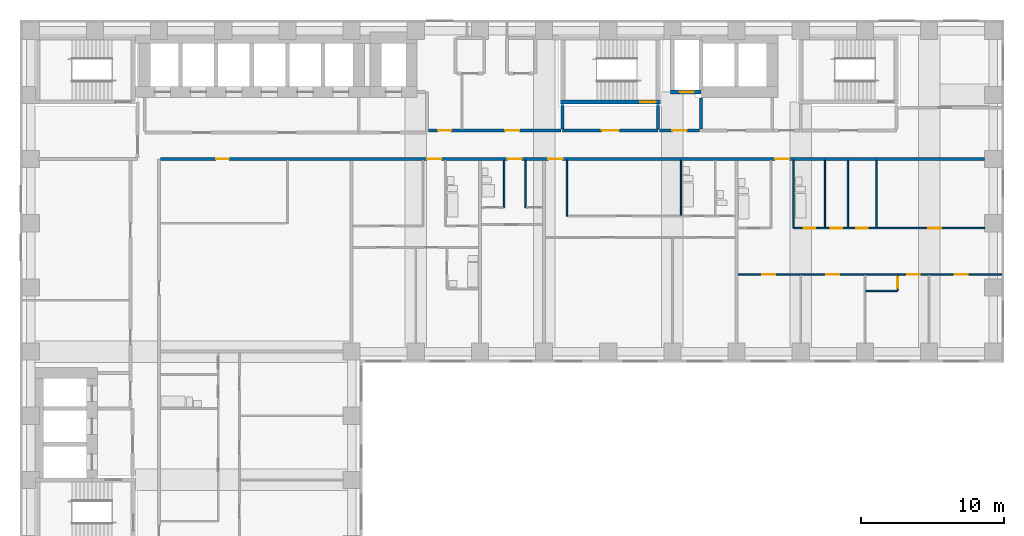
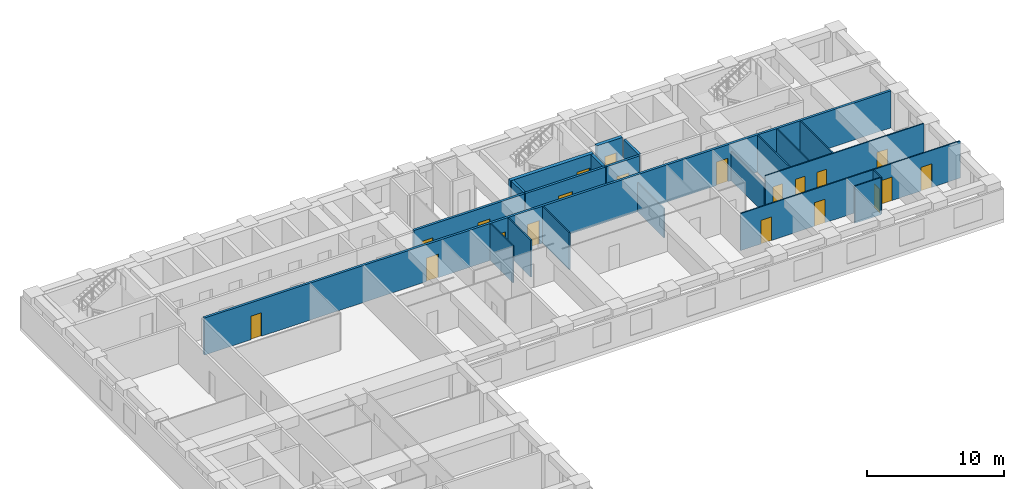
# One storey, part 7 of 11: 21 walls, 20 doors, 20 openings.
"""IFC4 building model written with IfcOpenShell, lengths in metres."""

from ifc_helpers import new_model, si_unit, direction, frame, frame_2d, origin, place, context, subcontext, project, spatial, rectangle, extrude, material, layer, layer_set, type_object, element, fill, save


model = new_model("IFC4")

# Units and contexts
model_context = context("Model", 3, precision=1e-05, world=origin(), true_north=direction((0.0, 1.0)))
body_context = subcontext(model_context, "Body", "Model", "MODEL_VIEW")
ifc_project = project(units=[si_unit("LENGTHUNIT", "METRE"), si_unit("AREAUNIT", "SQUARE_METRE"), si_unit("VOLUMEUNIT", "CUBIC_METRE"), si_unit("PLANEANGLEUNIT", "RADIAN"), si_unit("MASSUNIT", "GRAM", prefix="KILO")], contexts=[model_context])

# Site, building, storey
site_placement = place(None, origin())
site = spatial("IfcSite", under=ifc_project, at=site_placement, CompositionType="ELEMENT")
building_placement = place(site_placement, origin())
building = spatial("IfcBuilding", under=site, at=building_placement, Name="Firuza Court", CompositionType="ELEMENT")
storey_placement = place(building_placement, frame((0.0, 0.0, 75.800048828125)))
storey = spatial("IfcBuildingStorey", under=building, at=storey_placement, Name="L18", CompositionType="ELEMENT", Elevation=75.800048828125)

# Wall
ifc_material_1 = material(Name="Moisture-resistant gypsum board partition")
ifc_layer_1 = layer(ifc_material_1, 0.10009765625)
ifc_layer_set_1 = layer_set([ifc_layer_1], Name="Moisture-resistant gypsum board partition")
wall_type_1 = type_object("IfcWallType", Name="Bathroom partition 100", PredefinedType="PLUMBINGWALL", material=ifc_layer_set_1)
wall_1_placement = place(storey_placement, frame((58.550048828125, 40.25, 0.0), z_axis=(0.0, 0.0, 1.0), x_axis=(1.0, 0.0, 0.0)))
element("IfcWall", 1, at=wall_1_placement, inside=storey, type_object=wall_type_1, Name="Bathroom partition 100 L18", PredefinedType="PLUMBINGWALL", context=body_context, shape_type="SweptSolid", body=[
    extrude(rectangle(XDim=2.199951171875, YDim=0.10009765625, at=frame_2d((1.10009765625, 0.0))), origin(), (0.0, 0.0, 1.0), 3.300048828125),
])

# Wall, opening, door
wall_2_placement = place(storey_placement, frame((60.800048828125, 40.25, 0.0), z_axis=(0.0, 0.0, 1.0), x_axis=(0.0, 1.0, 0.0)))
wall_2 = element("IfcWall", 2, at=wall_2_placement, inside=storey, type_object=wall_type_1, Name="Bathroom partition 100 L18", PredefinedType="PLUMBINGWALL", context=body_context, shape_type="SweptSolid", body=[
    extrude(rectangle(XDim=1.10009765625, YDim=0.10009765625, at=frame_2d((0.550048828125, 0.0))), origin(), (0.0, 0.0, 1.0), 3.300048828125),
])
opening_1_placement = place(wall_2_placement, frame((0.199951171875, 0.0, 0.0)))
opening_1 = element("IfcOpeningElement", 3, at=opening_1_placement, cuts=wall_2, Name="Opening D18043", PredefinedType="OPENING", context=body_context, shape_type="SweptSolid", body=[
    extrude(rectangle(XDim=0.800048828125, YDim=2.10009765625, at=frame_2d((0.39990234375, 1.050048828125))), frame((0.0, 0.06201171875, 0.0), z_axis=(0.0, -1.0, 0.0), x_axis=(1.0, 0.0, 0.0)), (0.0, 0.0, 1.0), 0.1240234375),
])
ifc_material_2 = material(Name="Timber door leaf in hardwood frame", Category="wood")
door_type_1 = type_object("IfcDoorType", Name="Bathroom door 800", OperationType="SINGLE_SWING_LEFT", PredefinedType="DOOR", material=ifc_material_2)
door_1_placement = place(opening_1_placement, origin())
door_1 = element("IfcDoor", 4, at=door_1_placement, inside=storey, type_object=door_type_1, Name="En-suite door", OperationType="SINGLE_SWING_RIGHT", OverallHeight=2.10009765625, OverallWidth=0.800048828125, PredefinedType="DOOR", context=body_context, shape_type="SweptSolid", body=[
    extrude(rectangle(XDim=0.800048828125, YDim=2.10009765625, at=frame_2d((0.39990234375, 1.050048828125))), frame((0.0, 0.02490234375, 0.0), z_axis=(0.0, -1.0, 0.0), x_axis=(1.0, 0.0, 0.0)), (0.0, 0.0, 1.0), 0.050048828125),
])
fill(opening_1, door_1)

# Walls
wall_3_placement = place(storey_placement, frame((53.5, 44.64990234375, 0.0), z_axis=(0.0, 0.0, 1.0), x_axis=(0.0, 1.0, 0.0)))
element("IfcWall", 5, at=wall_3_placement, inside=storey, type_object=wall_type_1, Name="Bathroom partition 100 L18", PredefinedType="PLUMBINGWALL", context=body_context, shape_type="SweptSolid", body=[
    extrude(rectangle(XDim=4.75, YDim=0.10009765625, at=frame_2d((2.375, 0.0))), origin(), (0.0, 0.0, 1.0), 2.599853515625),
])
wall_4_placement = place(storey_placement, frame((55.699951171875, 44.699951171875, 0.0), z_axis=(0.0, 0.0, 1.0), x_axis=(0.0, 1.0, 0.0)))
element("IfcWall", 6, at=wall_4_placement, inside=storey, type_object=wall_type_1, Name="Bathroom partition 100 L18", PredefinedType="PLUMBINGWALL", context=body_context, shape_type="SweptSolid", body=[
    extrude(rectangle(XDim=4.699951171875, YDim=0.10009765625, at=frame_2d((2.35009765625, 0.0))), origin(), (0.0, 0.0, 1.0), 3.300048828125),
])
wall_5_placement = place(storey_placement, frame((45.60009765625, 45.550048828125, 0.0), z_axis=(0.0, 0.0, 1.0), x_axis=(0.0, 1.0, 0.0)))
element("IfcWall", 7, at=wall_5_placement, inside=storey, type_object=wall_type_1, Name="Bathroom partition 100 L18", PredefinedType="PLUMBINGWALL", context=body_context, shape_type="SweptSolid", body=[
    extrude(rectangle(XDim=3.849853515625, YDim=0.10009765625, at=frame_2d((1.9248046875, 0.0))), origin(), (0.0, 0.0, 1.0), 2.599853515625),
])
wall_6_placement = place(storey_placement, frame((33.199951171875, 46.10009765625, 0.0), z_axis=(0.0, 0.0, 1.0), x_axis=(0.0, 1.0, 0.0)))
element("IfcWall", 8, at=wall_6_placement, inside=storey, type_object=wall_type_1, Name="Bathroom partition 100 L18", PredefinedType="PLUMBINGWALL", context=body_context, shape_type="SweptSolid", body=[
    extrude(rectangle(XDim=3.2998046875, YDim=0.10009765625, at=frame_2d((1.64990234375, 0.0))), origin(), (0.0, 0.0, 1.0), 3.300048828125),
])

# Wall, opening, door
ifc_material_3 = material(Name="Concrete C60/75", Category="concrete")
ifc_layer_2 = layer(ifc_material_3, 0.300048828125)
ifc_layer_set_2 = layer_set([ifc_layer_2], Name="Concrete C60/75")
wall_type_2 = type_object("IfcWallType", Name="Core wall 300 C60/75", PredefinedType="SHEAR", material=ifc_layer_set_2)
wall_7_placement = place(storey_placement, frame((37.14990234375, 53.5, -0.300048828125), z_axis=(0.0, 0.0, 1.0), x_axis=(1.0, 0.0, 0.0)))
wall_7 = element("IfcWall", 9, at=wall_7_placement, inside=storey, type_object=wall_type_2, Name="Core wall stair L18", PredefinedType="SHEAR", context=body_context, shape_type="SweptSolid", body=[
    extrude(rectangle(XDim=7.0, YDim=0.300048828125, at=frame_2d((3.5, 0.0))), origin(), (0.0, 0.0, 1.0), 3.60009765625),
])
opening_2_placement = place(wall_7_placement, frame((5.580078125, 0.0, 0.300048828125)))
opening_2 = element("IfcOpeningElement", 10, at=opening_2_placement, cuts=wall_7, Name="Opening D18013", PredefinedType="OPENING", context=body_context, shape_type="SweptSolid", body=[
    extrude(rectangle(XDim=1.10009765625, YDim=2.10009765625, at=frame_2d((0.550048828125, 1.050048828125))), frame((0.0, 0.162109375, 0.0), z_axis=(0.0, -1.0, 0.0), x_axis=(1.0, 0.0, 0.0)), (0.0, 0.0, 1.0), 0.323974609375),
])
ifc_material_4 = material(Name="Timber door leaf in hardwood frame", Category="wood")
door_type_2 = type_object("IfcDoorType", Name="Stair door 1100", OperationType="SINGLE_SWING_LEFT", PredefinedType="DOOR", material=ifc_material_4)
door_2_placement = place(opening_2_placement, origin())
door_2 = element("IfcDoor", 11, at=door_2_placement, inside=storey, type_object=door_type_2, Name="Stair door S1", OperationType="SINGLE_SWING_RIGHT", OverallHeight=2.10009765625, OverallWidth=1.10009765625, PredefinedType="DOOR", context=body_context, shape_type="SweptSolid", body=[
    extrude(rectangle(XDim=1.10009765625, YDim=2.10009765625, at=frame_2d((0.550048828125, 1.050048828125))), frame((0.0, 0.02490234375, 0.0), z_axis=(0.0, -1.0, 0.0), x_axis=(1.0, 0.0, 0.0)), (0.0, 0.0, 1.0), 0.050048828125),
])
fill(opening_2, door_2)

wall_8_placement = place(storey_placement, frame((44.85009765625, 54.199951171875, -0.300048828125), z_axis=(0.0, 0.0, 1.0), x_axis=(1.0, 0.0, 0.0)))
wall_8 = element("IfcWall", 12, at=wall_8_placement, inside=storey, type_object=wall_type_2, Name="Core wall riser L18", PredefinedType="SHEAR", context=body_context, shape_type="SweptSolid", body=[
    extrude(rectangle(XDim=2.14990234375, YDim=0.300048828125, at=frame_2d((1.074951171875, 0.0))), origin(), (0.0, 0.0, 1.0), 3.60009765625),
])
opening_3_placement = place(wall_8_placement, frame((0.64990234375, 0.0, 0.300048828125)))
opening_3 = element("IfcOpeningElement", 13, at=opening_3_placement, cuts=wall_8, Name="Opening D18011", PredefinedType="OPENING", context=body_context, shape_type="SweptSolid", body=[
    extrude(rectangle(XDim=1.0, YDim=2.10009765625, at=frame_2d((0.5, 1.050048828125))), frame((0.0, 0.162109375, 0.0), z_axis=(0.0, -1.0, 0.0), x_axis=(1.0, 0.0, 0.0)), (0.0, 0.0, 1.0), 0.323974609375),
])
ifc_material_5 = material(Name="Timber door leaf in hardwood frame", Category="wood")
door_type_3 = type_object("IfcDoorType", Name="Riser door 1000", OperationType="SINGLE_SWING_LEFT", PredefinedType="DOOR", material=ifc_material_5)
door_3_placement = place(opening_3_placement, origin())
door_3 = element("IfcDoor", 14, at=door_3_placement, inside=storey, type_object=door_type_3, Name="Riser door R3", OperationType="SINGLE_SWING_LEFT", OverallHeight=2.10009765625, OverallWidth=1.0, PredefinedType="DOOR", context=body_context, shape_type="SweptSolid", body=[
    extrude(rectangle(XDim=1.0, YDim=2.10009765625, at=frame_2d((0.5, 1.050048828125))), frame((0.0, 0.02490234375, 0.0), z_axis=(0.0, -1.0, 0.0), x_axis=(1.0, 0.0, 0.0)), (0.0, 0.0, 1.0), 0.050048828125),
])
fill(opening_3, door_3)

# Wall, openings, doors
ifc_material_6 = material(Name="Blockwork, plastered both sides", Category="masonry")
ifc_layer_3 = layer(ifc_material_6, 0.199951171875)
ifc_layer_set_3 = layer_set([ifc_layer_3], Name="Blockwork, plastered both sides")
wall_type_3 = type_object("IfcWallType", Name="Corridor wall 200", PredefinedType="PARTITIONING", material=ifc_layer_set_3)
wall_9_placement = place(storey_placement, frame((9.10009765625, 49.5, 0.0), z_axis=(0.0, 0.0, 1.0), x_axis=(1.0, 0.0, 0.0)))
wall_9 = element("IfcWall", 15, at=wall_9_placement, inside=storey, type_object=wall_type_3, Name="Corridor wall 200 L18", PredefinedType="PARTITIONING", context=body_context, shape_type="SweptSolid", body=[
    extrude(rectangle(XDim=57.7998046875, YDim=0.199951171875, at=frame_2d((28.89990234375, 0.0))), origin(), (0.0, 0.0, 1.0), 3.300048828125),
])
opening_4_placement = place(wall_9_placement, frame((18.699951171875, 0.0, 0.0)))
opening_4 = element("IfcOpeningElement", 16, at=opening_4_placement, cuts=wall_9, Name="Opening D18066", PredefinedType="OPENING", context=body_context, shape_type="SweptSolid", body=[
    extrude(rectangle(XDim=1.0, YDim=2.10009765625, at=frame_2d((0.5, 1.050048828125))), frame((0.0, 0.11181640625, 0.0), z_axis=(0.0, -1.0, 0.0), x_axis=(1.0, 0.0, 0.0)), (0.0, 0.0, 1.0), 0.223876953125),
])
opening_5_placement = place(wall_9_placement, frame((24.35009765625, 0.0, 0.0)))
opening_5 = element("IfcOpeningElement", 17, at=opening_5_placement, cuts=wall_9, Name="Opening D18067", PredefinedType="OPENING", context=body_context, shape_type="SweptSolid", body=[
    extrude(rectangle(XDim=1.0, YDim=2.10009765625, at=frame_2d((0.5, 1.050048828125))), frame((0.0, 0.11181640625, 0.0), z_axis=(0.0, -1.0, 0.0), x_axis=(1.0, 0.0, 0.0)), (0.0, 0.0, 1.0), 0.223876953125),
])
opening_6_placement = place(wall_9_placement, frame((27.199951171875, 0.0, 0.0)))
opening_6 = element("IfcOpeningElement", 18, at=opening_6_placement, cuts=wall_9, Name="Opening D18068", PredefinedType="OPENING", context=body_context, shape_type="SweptSolid", body=[
    extrude(rectangle(XDim=1.0, YDim=2.10009765625, at=frame_2d((0.5, 1.050048828125))), frame((0.0, 0.11181640625, 0.0), z_axis=(0.0, -1.0, 0.0), x_axis=(1.0, 0.0, 0.0)), (0.0, 0.0, 1.0), 0.223876953125),
])
opening_7_placement = place(wall_9_placement, frame((43.10009765625, 0.0, 0.0)))
opening_7 = element("IfcOpeningElement", 19, at=opening_7_placement, cuts=wall_9, Name="Opening D18069", PredefinedType="OPENING", context=body_context, shape_type="SweptSolid", body=[
    extrude(rectangle(XDim=1.0, YDim=2.10009765625, at=frame_2d((0.5, 1.050048828125))), frame((0.0, 0.11181640625, 0.0), z_axis=(0.0, -1.0, 0.0), x_axis=(1.0, 0.0, 0.0)), (0.0, 0.0, 1.0), 0.223876953125),
])
opening_8_placement = place(wall_9_placement, frame((3.89990234375, 0.0, 0.0)))
opening_8 = element("IfcOpeningElement", 20, at=opening_8_placement, cuts=wall_9, Name="Opening D18070", PredefinedType="OPENING", context=body_context, shape_type="SweptSolid", body=[
    extrude(rectangle(XDim=0.89990234375, YDim=2.10009765625, at=frame_2d((0.449951171875, 1.050048828125))), frame((0.0, 0.11181640625, 0.0), z_axis=(0.0, -1.0, 0.0), x_axis=(1.0, 0.0, 0.0)), (0.0, 0.0, 1.0), 0.223876953125),
])
ifc_material_7 = material(Name="Timber door leaf in hardwood frame", Category="wood")
door_type_4 = type_object("IfcDoorType", Name="Flat entrance door 1000", OperationType="SINGLE_SWING_LEFT", PredefinedType="DOOR", material=ifc_material_7)
door_4_placement = place(opening_4_placement, origin())
door_4 = element("IfcDoor", 21, at=door_4_placement, inside=storey, type_object=door_type_4, Name="Flat entrance door", OperationType="SINGLE_SWING_LEFT", OverallHeight=2.10009765625, OverallWidth=1.0, PredefinedType="DOOR", context=body_context, shape_type="SweptSolid", body=[
    extrude(rectangle(XDim=1.0, YDim=2.10009765625, at=frame_2d((0.5, 1.050048828125))), frame((0.0, 0.02490234375, 0.0), z_axis=(0.0, -1.0, 0.0), x_axis=(1.0, 0.0, 0.0)), (0.0, 0.0, 1.0), 0.050048828125),
])
fill(opening_4, door_4)
door_5_placement = place(opening_5_placement, origin())
door_5 = element("IfcDoor", 22, at=door_5_placement, inside=storey, type_object=door_type_4, Name="Flat entrance door", OperationType="SINGLE_SWING_LEFT", OverallHeight=2.10009765625, OverallWidth=1.0, PredefinedType="DOOR", context=body_context, shape_type="SweptSolid", body=[
    extrude(rectangle(XDim=1.0, YDim=2.10009765625, at=frame_2d((0.5, 1.050048828125))), frame((0.0, 0.02490234375, 0.0), z_axis=(0.0, -1.0, 0.0), x_axis=(1.0, 0.0, 0.0)), (0.0, 0.0, 1.0), 0.050048828125),
])
fill(opening_5, door_5)
door_6_placement = place(opening_6_placement, origin())
door_6 = element("IfcDoor", 23, at=door_6_placement, inside=storey, type_object=door_type_4, Name="Flat entrance door", OperationType="SINGLE_SWING_LEFT", OverallHeight=2.10009765625, OverallWidth=1.0, PredefinedType="DOOR", context=body_context, shape_type="SweptSolid", body=[
    extrude(rectangle(XDim=1.0, YDim=2.10009765625, at=frame_2d((0.5, 1.050048828125))), frame((0.0, 0.02490234375, 0.0), z_axis=(0.0, -1.0, 0.0), x_axis=(1.0, 0.0, 0.0)), (0.0, 0.0, 1.0), 0.050048828125),
])
fill(opening_6, door_6)
door_7_placement = place(opening_7_placement, origin())
door_7 = element("IfcDoor", 24, at=door_7_placement, inside=storey, type_object=door_type_4, Name="Flat entrance door", OperationType="SINGLE_SWING_LEFT", OverallHeight=2.10009765625, OverallWidth=1.0, PredefinedType="DOOR", context=body_context, shape_type="SweptSolid", body=[
    extrude(rectangle(XDim=1.0, YDim=2.10009765625, at=frame_2d((0.5, 1.050048828125))), frame((0.0, 0.02490234375, 0.0), z_axis=(0.0, -1.0, 0.0), x_axis=(1.0, 0.0, 0.0)), (0.0, 0.0, 1.0), 0.050048828125),
])
fill(opening_7, door_7)
ifc_material_8 = material(Name="Timber door leaf in hardwood frame", Category="wood")
door_type_5 = type_object("IfcDoorType", Name="Room door 900 EI 30", OperationType="SINGLE_SWING_LEFT", PredefinedType="DOOR", material=ifc_material_8)
door_8_placement = place(opening_8_placement, origin())
door_8 = element("IfcDoor", 25, at=door_8_placement, inside=storey, type_object=door_type_5, Name="Cinema room door", OperationType="SINGLE_SWING_LEFT", OverallHeight=2.10009765625, OverallWidth=0.89990234375, PredefinedType="DOOR", context=body_context, shape_type="SweptSolid", body=[
    extrude(rectangle(XDim=0.89990234375, YDim=2.10009765625, at=frame_2d((0.449951171875, 1.050048828125))), frame((0.0, 0.02490234375, 0.0), z_axis=(0.0, -1.0, 0.0), x_axis=(1.0, 0.0, 0.0)), (0.0, 0.0, 1.0), 0.050048828125),
])
fill(opening_8, door_8)

wall_10_placement = place(storey_placement, frame((27.89990234375, 51.5, 0.0), z_axis=(0.0, 0.0, 1.0), x_axis=(1.0, 0.0, 0.0)))
wall_10 = element("IfcWall", 26, at=wall_10_placement, inside=storey, type_object=wall_type_3, Name="Corridor wall 200 L18", PredefinedType="PARTITIONING", context=body_context, shape_type="SweptSolid", body=[
    extrude(rectangle(XDim=9.300048828125, YDim=0.199951171875, at=frame_2d((4.64990234375, 0.0))), origin(), (0.0, 0.0, 1.0), 3.300048828125),
])
opening_9_placement = place(wall_10_placement, frame((0.675048828125, 0.0, 0.0)))
opening_9 = element("IfcOpeningElement", 27, at=opening_9_placement, cuts=wall_10, Name="Opening D18071", PredefinedType="OPENING", context=body_context, shape_type="SweptSolid", body=[
    extrude(rectangle(XDim=0.89990234375, YDim=2.10009765625, at=frame_2d((0.449951171875, 1.050048828125))), frame((0.0, 0.11181640625, 0.0), z_axis=(0.0, -1.0, 0.0), x_axis=(1.0, 0.0, 0.0)), (0.0, 0.0, 1.0), 0.223876953125),
])
opening_10_placement = place(wall_10_placement, frame((5.375, 0.0, 0.0)))
opening_10 = element("IfcOpeningElement", 28, at=opening_10_placement, cuts=wall_10, Name="Opening D18072", PredefinedType="OPENING", context=body_context, shape_type="SweptSolid", body=[
    extrude(rectangle(XDim=1.0, YDim=2.10009765625, at=frame_2d((0.5, 1.050048828125))), frame((0.0, 0.11181640625, 0.0), z_axis=(0.0, -1.0, 0.0), x_axis=(1.0, 0.0, 0.0)), (0.0, 0.0, 1.0), 0.223876953125),
])
door_9_placement = place(opening_9_placement, origin())
door_9 = element("IfcDoor", 29, at=door_9_placement, inside=storey, type_object=door_type_5, Name="Meeting room door", OperationType="SINGLE_SWING_LEFT", OverallHeight=2.10009765625, OverallWidth=0.89990234375, PredefinedType="DOOR", context=body_context, shape_type="SweptSolid", body=[
    extrude(rectangle(XDim=0.89990234375, YDim=2.10009765625, at=frame_2d((0.449951171875, 1.050048828125))), frame((0.0, 0.02490234375, 0.0), z_axis=(0.0, -1.0, 0.0), x_axis=(1.0, 0.0, 0.0)), (0.0, 0.0, 1.0), 0.050048828125),
])
fill(opening_9, door_9)
ifc_material_9 = material(Name="Timber door leaf in hardwood frame", Category="wood")
door_type_6 = type_object("IfcDoorType", Name="Store door 1000", OperationType="SINGLE_SWING_LEFT", PredefinedType="DOOR", material=ifc_material_9)
door_10_placement = place(opening_10_placement, origin())
door_10 = element("IfcDoor", 30, at=door_10_placement, inside=storey, type_object=door_type_6, Name="Electrical room door", OperationType="SINGLE_SWING_LEFT", OverallHeight=2.10009765625, OverallWidth=1.0, PredefinedType="DOOR", context=body_context, shape_type="SweptSolid", body=[
    extrude(rectangle(XDim=1.0, YDim=2.10009765625, at=frame_2d((0.5, 1.050048828125))), frame((0.0, 0.02490234375, 0.0), z_axis=(0.0, -1.0, 0.0), x_axis=(1.0, 0.0, 0.0)), (0.0, 0.0, 1.0), 0.050048828125),
])
fill(opening_10, door_10)

# Wall, opening, door
wall_11_placement = place(storey_placement, frame((44.10009765625, 51.5, 0.0), z_axis=(0.0, 0.0, 1.0), x_axis=(1.0, 0.0, 0.0)))
wall_11 = element("IfcWall", 31, at=wall_11_placement, inside=storey, type_object=wall_type_3, Name="Corridor wall 200 L18", PredefinedType="PARTITIONING", context=body_context, shape_type="SweptSolid", body=[
    extrude(rectangle(XDim=2.7998046875, YDim=0.199951171875, at=frame_2d((1.39990234375, 0.0))), origin(), (0.0, 0.0, 1.0), 3.300048828125),
])
opening_11_placement = place(wall_11_placement, frame((0.89990234375, 0.0, 0.0)))
opening_11 = element("IfcOpeningElement", 32, at=opening_11_placement, cuts=wall_11, Name="Opening D18073", PredefinedType="OPENING", context=body_context, shape_type="SweptSolid", body=[
    extrude(rectangle(XDim=1.0, YDim=2.10009765625, at=frame_2d((0.5, 1.050048828125))), frame((0.0, 0.11181640625, 0.0), z_axis=(0.0, -1.0, 0.0), x_axis=(1.0, 0.0, 0.0)), (0.0, 0.0, 1.0), 0.223876953125),
])
door_11_placement = place(opening_11_placement, origin())
door_11 = element("IfcDoor", 33, at=door_11_placement, inside=storey, type_object=door_type_6, Name="Cleaner's store door", OperationType="SINGLE_SWING_LEFT", OverallHeight=2.10009765625, OverallWidth=1.0, PredefinedType="DOOR", context=body_context, shape_type="SweptSolid", body=[
    extrude(rectangle(XDim=1.0, YDim=2.10009765625, at=frame_2d((0.5, 1.050048828125))), frame((0.0, 0.02490234375, 0.0), z_axis=(0.0, -1.0, 0.0), x_axis=(1.0, 0.0, 0.0)), (0.0, 0.0, 1.0), 0.050048828125),
])
fill(opening_11, door_11)

# Wall, openings, doors
ifc_material_10 = material(Name="Timber stud partition, plasterboard both sides", Category="wood")
ifc_layer_4 = layer(ifc_material_10, 0.10009765625)
ifc_layer_set_4 = layer_set([ifc_layer_4], Name="Timber stud partition, plasterboard both sides")
wall_type_4 = type_object("IfcWallType", Name="Partition wall 100", PredefinedType="PARTITIONING", material=ifc_layer_set_4)
wall_12_placement = place(storey_placement, frame((49.60009765625, 41.39990234375, 0.0), z_axis=(0.0, 0.0, 1.0), x_axis=(1.0, 0.0, 0.0)))
wall_12 = element("IfcWall", 34, at=wall_12_placement, inside=storey, type_object=wall_type_4, Name="Partition wall 100 L18", PredefinedType="PARTITIONING", context=body_context, shape_type="SweptSolid", body=[
    extrude(rectangle(XDim=18.5, YDim=0.10009765625, at=frame_2d((9.25, 0.0))), origin(), (0.0, 0.0, 1.0), 3.300048828125),
])
opening_12_placement = place(wall_12_placement, frame((1.699951171875, 0.0, 0.0)))
opening_12 = element("IfcOpeningElement", 35, at=opening_12_placement, cuts=wall_12, Name="Opening D18045", PredefinedType="OPENING", context=body_context, shape_type="SweptSolid", body=[
    extrude(rectangle(XDim=0.89990234375, YDim=2.10009765625, at=frame_2d((0.449951171875, 1.050048828125))), frame((0.0, 0.06201171875, 0.0), z_axis=(0.0, -1.0, 0.0), x_axis=(1.0, 0.0, 0.0)), (0.0, 0.0, 1.0), 0.1240234375),
])
opening_13_placement = place(wall_12_placement, frame((6.199951171875, 0.0, 0.0)))
opening_13 = element("IfcOpeningElement", 36, at=opening_13_placement, cuts=wall_12, Name="Opening D18046", PredefinedType="OPENING", context=body_context, shape_type="SweptSolid", body=[
    extrude(rectangle(XDim=0.89990234375, YDim=2.10009765625, at=frame_2d((0.449951171875, 1.050048828125))), frame((0.0, 0.06201171875, 0.0), z_axis=(0.0, -1.0, 0.0), x_axis=(1.0, 0.0, 0.0)), (0.0, 0.0, 1.0), 0.1240234375),
])
opening_14_placement = place(wall_12_placement, frame((11.85009765625, 0.0, 0.0)))
opening_14 = element("IfcOpeningElement", 37, at=opening_14_placement, cuts=wall_12, Name="Opening D18047", PredefinedType="OPENING", context=body_context, shape_type="SweptSolid", body=[
    extrude(rectangle(XDim=0.89990234375, YDim=2.10009765625, at=frame_2d((0.449951171875, 1.050048828125))), frame((0.0, 0.06201171875, 0.0), z_axis=(0.0, -1.0, 0.0), x_axis=(1.0, 0.0, 0.0)), (0.0, 0.0, 1.0), 0.1240234375),
])
opening_15_placement = place(wall_12_placement, frame((15.199951171875, 0.0, 0.0)))
opening_15 = element("IfcOpeningElement", 38, at=opening_15_placement, cuts=wall_12, Name="Opening D18048", PredefinedType="OPENING", context=body_context, shape_type="SweptSolid", body=[
    extrude(rectangle(XDim=0.89990234375, YDim=2.10009765625, at=frame_2d((0.449951171875, 1.050048828125))), frame((0.0, 0.06201171875, 0.0), z_axis=(0.0, -1.0, 0.0), x_axis=(1.0, 0.0, 0.0)), (0.0, 0.0, 1.0), 0.1240234375),
])
ifc_material_11 = material(Name="Timber door leaf in hardwood frame", Category="wood")
door_type_7 = type_object("IfcDoorType", Name="Room door 900", OperationType="SINGLE_SWING_LEFT", PredefinedType="DOOR", material=ifc_material_11)
door_12_placement = place(opening_12_placement, frame((0.89990234375, 0.0, 0.0), z_axis=(0.0, 0.0, 1.0), x_axis=(-1.0, 0.0, 0.0)))
door_12 = element("IfcDoor", 39, at=door_12_placement, inside=storey, type_object=door_type_7, Name="Bedroom door", OperationType="SINGLE_SWING_RIGHT", OverallHeight=2.10009765625, OverallWidth=0.89990234375, PredefinedType="DOOR", context=body_context, shape_type="SweptSolid", body=[
    extrude(rectangle(XDim=0.89990234375, YDim=2.10009765625, at=frame_2d((0.449951171875, 1.050048828125))), frame((0.0, 0.02490234375, 0.0), z_axis=(0.0, -1.0, 0.0), x_axis=(1.0, 0.0, 0.0)), (0.0, 0.0, 1.0), 0.050048828125),
])
fill(opening_12, door_12)
door_13_placement = place(opening_13_placement, frame((0.89990234375, 0.0, 0.0), z_axis=(0.0, 0.0, 1.0), x_axis=(-1.0, 0.0, 0.0)))
door_13 = element("IfcDoor", 40, at=door_13_placement, inside=storey, type_object=door_type_7, Name="Living room door", OperationType="SINGLE_SWING_RIGHT", OverallHeight=2.10009765625, OverallWidth=0.89990234375, PredefinedType="DOOR", context=body_context, shape_type="SweptSolid", body=[
    extrude(rectangle(XDim=0.89990234375, YDim=2.10009765625, at=frame_2d((0.449951171875, 1.050048828125))), frame((0.0, 0.02490234375, 0.0), z_axis=(0.0, -1.0, 0.0), x_axis=(1.0, 0.0, 0.0)), (0.0, 0.0, 1.0), 0.050048828125),
])
fill(opening_13, door_13)
door_14_placement = place(opening_14_placement, frame((0.89990234375, 0.0, 0.0), z_axis=(0.0, 0.0, 1.0), x_axis=(-1.0, 0.0, 0.0)))
door_14 = element("IfcDoor", 41, at=door_14_placement, inside=storey, type_object=door_type_7, Name="Bedroom door", OperationType="SINGLE_SWING_RIGHT", OverallHeight=2.10009765625, OverallWidth=0.89990234375, PredefinedType="DOOR", context=body_context, shape_type="SweptSolid", body=[
    extrude(rectangle(XDim=0.89990234375, YDim=2.10009765625, at=frame_2d((0.449951171875, 1.050048828125))), frame((0.0, 0.02490234375, 0.0), z_axis=(0.0, -1.0, 0.0), x_axis=(1.0, 0.0, 0.0)), (0.0, 0.0, 1.0), 0.050048828125),
])
fill(opening_14, door_14)
door_15_placement = place(opening_15_placement, frame((0.89990234375, 0.0, 0.0), z_axis=(0.0, 0.0, 1.0), x_axis=(-1.0, 0.0, 0.0)))
door_15 = element("IfcDoor", 42, at=door_15_placement, inside=storey, type_object=door_type_7, Name="Bedroom door", OperationType="SINGLE_SWING_RIGHT", OverallHeight=2.10009765625, OverallWidth=0.89990234375, PredefinedType="DOOR", context=body_context, shape_type="SweptSolid", body=[
    extrude(rectangle(XDim=0.89990234375, YDim=2.10009765625, at=frame_2d((0.449951171875, 1.050048828125))), frame((0.0, 0.02490234375, 0.0), z_axis=(0.0, -1.0, 0.0), x_axis=(1.0, 0.0, 0.0)), (0.0, 0.0, 1.0), 0.050048828125),
])
fill(opening_15, door_15)

wall_13_placement = place(storey_placement, frame((53.550048828125, 44.64990234375, 0.0), z_axis=(0.0, 0.0, 1.0), x_axis=(1.0, 0.0, 0.0)))
wall_13 = element("IfcWall", 43, at=wall_13_placement, inside=storey, type_object=wall_type_4, Name="Partition wall 100 L18", PredefinedType="PARTITIONING", context=body_context, shape_type="SweptSolid", body=[
    extrude(rectangle(XDim=13.349853515625, YDim=0.10009765625, at=frame_2d((6.6748046875, 0.0))), origin(), (0.0, 0.0, 1.0), 3.300048828125),
])
opening_16_placement = place(wall_13_placement, frame((0.64990234375, 0.0, 0.0)))
opening_16 = element("IfcOpeningElement", 44, at=opening_16_placement, cuts=wall_13, Name="Opening D18054", PredefinedType="OPENING", context=body_context, shape_type="SweptSolid", body=[
    extrude(rectangle(XDim=0.800048828125, YDim=2.10009765625, at=frame_2d((0.39990234375, 1.050048828125))), frame((0.0, 0.06201171875, 0.0), z_axis=(0.0, -1.0, 0.0), x_axis=(1.0, 0.0, 0.0)), (0.0, 0.0, 1.0), 0.1240234375),
])
opening_17_placement = place(wall_13_placement, frame((9.39990234375, 0.0, 0.0)))
opening_17 = element("IfcOpeningElement", 45, at=opening_17_placement, cuts=wall_13, Name="Opening D18055", PredefinedType="OPENING", context=body_context, shape_type="SweptSolid", body=[
    extrude(rectangle(XDim=0.89990234375, YDim=2.10009765625, at=frame_2d((0.449951171875, 1.050048828125))), frame((0.0, 0.06201171875, 0.0), z_axis=(0.0, -1.0, 0.0), x_axis=(1.0, 0.0, 0.0)), (0.0, 0.0, 1.0), 0.1240234375),
])
opening_18_placement = place(wall_13_placement, frame((2.550048828125, 0.0, 0.0)))
opening_18 = element("IfcOpeningElement", 46, at=opening_18_placement, cuts=wall_13, Name="Opening D18056", PredefinedType="OPENING", context=body_context, shape_type="SweptSolid", body=[
    extrude(rectangle(XDim=0.800048828125, YDim=2.10009765625, at=frame_2d((0.39990234375, 1.050048828125))), frame((0.0, 0.06201171875, 0.0), z_axis=(0.0, -1.0, 0.0), x_axis=(1.0, 0.0, 0.0)), (0.0, 0.0, 1.0), 0.1240234375),
])
opening_19_placement = place(wall_13_placement, frame((4.35009765625, 0.0, 0.0)))
opening_19 = element("IfcOpeningElement", 47, at=opening_19_placement, cuts=wall_13, Name="Opening D18057", PredefinedType="OPENING", context=body_context, shape_type="SweptSolid", body=[
    extrude(rectangle(XDim=0.800048828125, YDim=2.10009765625, at=frame_2d((0.39990234375, 1.050048828125))), frame((0.0, 0.06201171875, 0.0), z_axis=(0.0, -1.0, 0.0), x_axis=(1.0, 0.0, 0.0)), (0.0, 0.0, 1.0), 0.1240234375),
])
door_16_placement = place(opening_16_placement, origin())
door_16 = element("IfcDoor", 48, at=door_16_placement, inside=storey, type_object=door_type_1, Name="Bathroom 2 door", OperationType="SINGLE_SWING_LEFT", OverallHeight=2.10009765625, OverallWidth=0.800048828125, PredefinedType="DOOR", context=body_context, shape_type="SweptSolid", body=[
    extrude(rectangle(XDim=0.800048828125, YDim=2.10009765625, at=frame_2d((0.39990234375, 1.050048828125))), frame((0.0, 0.02490234375, 0.0), z_axis=(0.0, -1.0, 0.0), x_axis=(1.0, 0.0, 0.0)), (0.0, 0.0, 1.0), 0.050048828125),
])
fill(opening_16, door_16)
ifc_material_12 = material(Name="Timber door leaf in hardwood frame", Category="wood")
door_type_8 = type_object("IfcDoorType", Name="Room door 800", OperationType="SINGLE_SWING_LEFT", PredefinedType="DOOR", material=ifc_material_12)
door_17_placement = place(opening_18_placement, origin())
door_17 = element("IfcDoor", 49, at=door_17_placement, inside=storey, type_object=door_type_8, Name="Store door", OperationType="SINGLE_SWING_LEFT", OverallHeight=2.10009765625, OverallWidth=0.800048828125, PredefinedType="DOOR", context=body_context, shape_type="SweptSolid", body=[
    extrude(rectangle(XDim=0.800048828125, YDim=2.10009765625, at=frame_2d((0.39990234375, 1.050048828125))), frame((0.0, 0.02490234375, 0.0), z_axis=(0.0, -1.0, 0.0), x_axis=(1.0, 0.0, 0.0)), (0.0, 0.0, 1.0), 0.050048828125),
])
fill(opening_18, door_17)
door_18_placement = place(opening_19_placement, origin())
door_18 = element("IfcDoor", 50, at=door_18_placement, inside=storey, type_object=door_type_8, Name="Utility room door", OperationType="SINGLE_SWING_LEFT", OverallHeight=2.10009765625, OverallWidth=0.800048828125, PredefinedType="DOOR", context=body_context, shape_type="SweptSolid", body=[
    extrude(rectangle(XDim=0.800048828125, YDim=2.10009765625, at=frame_2d((0.39990234375, 1.050048828125))), frame((0.0, 0.02490234375, 0.0), z_axis=(0.0, -1.0, 0.0), x_axis=(1.0, 0.0, 0.0)), (0.0, 0.0, 1.0), 0.050048828125),
])
fill(opening_19, door_18)
door_19_placement = place(opening_17_placement, origin())
door_19 = element("IfcDoor", 51, at=door_19_placement, inside=storey, type_object=door_type_7, Name="Kitchen door", OperationType="SINGLE_SWING_RIGHT", OverallHeight=2.10009765625, OverallWidth=0.89990234375, PredefinedType="DOOR", context=body_context, shape_type="SweptSolid", body=[
    extrude(rectangle(XDim=0.89990234375, YDim=2.10009765625, at=frame_2d((0.449951171875, 1.050048828125))), frame((0.0, 0.02490234375, 0.0), z_axis=(0.0, -1.0, 0.0), x_axis=(1.0, 0.0, 0.0)), (0.0, 0.0, 1.0), 0.050048828125),
])
fill(opening_17, door_19)

# Walls
for number, where, z_axis, x_axis, name in (
    (52, (57.300048828125, 44.699951171875, 0.0), (0.0, 0.0, 1.0), (0.0, 1.0, 0.0), "Partition wall 100 L18"),
    (53, (59.300048828125, 44.699951171875, 0.0), (0.0, 0.0, 1.0), (0.0, 1.0, 0.0), "Partition wall 100 L18"),
):
    element("IfcWall", number, at=place(storey_placement, frame(where, z_axis=z_axis, x_axis=x_axis)), inside=storey, type_object=wall_type_4, Name=name, PredefinedType="PARTITIONING", context=body_context, shape_type="SweptSolid", body=[
        extrude(rectangle(XDim=4.699951171875, YDim=0.10009765625, at=frame_2d((2.35009765625, 0.0))), origin(), (0.0, 0.0, 1.0), 3.300048828125),
    ])
wall_14_placement = place(storey_placement, frame((37.60009765625, 45.5, 0.0), z_axis=(0.0, 0.0, 1.0), x_axis=(0.0, 1.0, 0.0)))
element("IfcWall", 54, at=wall_14_placement, inside=storey, type_object=wall_type_4, Name="Partition wall 100 L18", PredefinedType="PARTITIONING", context=body_context, shape_type="SweptSolid", body=[
    extrude(rectangle(XDim=3.89990234375, YDim=0.10009765625, at=frame_2d((1.949951171875, 0.0))), origin(), (0.0, 0.0, 1.0), 3.300048828125),
])
wall_15_placement = place(storey_placement, frame((34.699951171875, 46.10009765625, 0.0), z_axis=(0.0, 0.0, 1.0), x_axis=(0.0, 1.0, 0.0)))
element("IfcWall", 55, at=wall_15_placement, inside=storey, type_object=wall_type_4, Name="Partition wall 100 L18", PredefinedType="PARTITIONING", context=body_context, shape_type="SweptSolid", body=[
    extrude(rectangle(XDim=3.2998046875, YDim=0.10009765625, at=frame_2d((1.64990234375, 0.0))), origin(), (0.0, 0.0, 1.0), 3.300048828125),
])
ifc_material_13 = material(Name="Blockwork, fire-rated", Category="masonry")
ifc_layer_5 = layer(ifc_material_13, 0.199951171875)
ifc_layer_set_5 = layer_set([ifc_layer_5], Name="Blockwork, fire-rated")
wall_type_5 = type_object("IfcWallType", Name="Shaft wall 200", PredefinedType="PARTITIONING", material=ifc_layer_set_5)
wall_16_placement = place(storey_placement, frame((47.0, 51.60009765625, 0.0), z_axis=(0.0, 0.0, 1.0), x_axis=(0.0, 1.0, 0.0)))
element("IfcWall", 56, at=wall_16_placement, inside=storey, type_object=wall_type_5, Name="Shaft wall 200 L18", PredefinedType="PARTITIONING", context=body_context, shape_type="SweptSolid", body=[
    extrude(rectangle(XDim=2.179931640625, YDim=0.199951171875, at=frame_2d((1.08984375, 0.0))), origin(), (0.0, 0.0, 1.0), 3.300048828125),
])

# Wall, opening, door
wall_17_placement = place(storey_placement, frame((37.300048828125, 51.5, 0.0), z_axis=(0.0, 0.0, 1.0), x_axis=(1.0, 0.0, 0.0)))
wall_17 = element("IfcWall", 57, at=wall_17_placement, inside=storey, type_object=wall_type_5, Name="Shaft wall 200 L18", PredefinedType="PARTITIONING", context=body_context, shape_type="SweptSolid", body=[
    extrude(rectangle(XDim=6.699951171875, YDim=0.199951171875, at=frame_2d((3.35009765625, 0.0))), origin(), (0.0, 0.0, 1.0), 3.300048828125),
])
opening_20_placement = place(wall_17_placement, frame((2.75, 0.0, 0.0)))
opening_20 = element("IfcOpeningElement", 58, at=opening_20_placement, cuts=wall_17, Name="Opening D18006", PredefinedType="OPENING", context=body_context, shape_type="SweptSolid", body=[
    extrude(rectangle(XDim=1.199951171875, YDim=2.10009765625, at=frame_2d((0.60009765625, 1.050048828125))), frame((0.0, 0.11181640625, 0.0), z_axis=(0.0, -1.0, 0.0), x_axis=(1.0, 0.0, 0.0)), (0.0, 0.0, 1.0), 0.223876953125),
])
ifc_material_14 = material(Name="Timber door leaf in hardwood frame", Category="wood")
door_type_9 = type_object("IfcDoorType", Name="Lobby door 1200", OperationType="SINGLE_SWING_LEFT", PredefinedType="DOOR", material=ifc_material_14)
door_20_placement = place(opening_20_placement, origin())
door_20 = element("IfcDoor", 59, at=door_20_placement, inside=storey, type_object=door_type_9, Name="Lobby door", OperationType="SINGLE_SWING_LEFT", OverallHeight=2.10009765625, OverallWidth=1.199951171875, PredefinedType="DOOR", context=body_context, shape_type="SweptSolid", body=[
    extrude(rectangle(XDim=1.199951171875, YDim=2.10009765625, at=frame_2d((0.60009765625, 1.050048828125))), frame((0.0, 0.02490234375, 0.0), z_axis=(0.0, -1.0, 0.0), x_axis=(1.0, 0.0, 0.0)), (0.0, 0.0, 1.0), 0.050048828125),
])
fill(opening_20, door_20)

# Walls
for number, where, z_axis, x_axis, name in (
    (60, (44.0, 51.60009765625, 0.0), (0.0, 0.0, 1.0), (0.0, 1.0, 0.0), "Shaft wall 200 L18"),
    (61, (37.300048828125, 51.60009765625, 0.0), (0.0, 0.0, 1.0), (0.0, 1.0, 0.0), "Shaft wall 200 L18"),
):
    element("IfcWall", number, at=place(storey_placement, frame(where, z_axis=z_axis, x_axis=x_axis)), inside=storey, type_object=wall_type_5, Name=name, PredefinedType="PARTITIONING", context=body_context, shape_type="SweptSolid", body=[
        extrude(rectangle(XDim=1.72998046875, YDim=0.199951171875, at=frame_2d((0.864990234375, 0.0))), origin(), (0.0, 0.0, 1.0), 3.300048828125),
    ])

save(model, "model.ifc")
